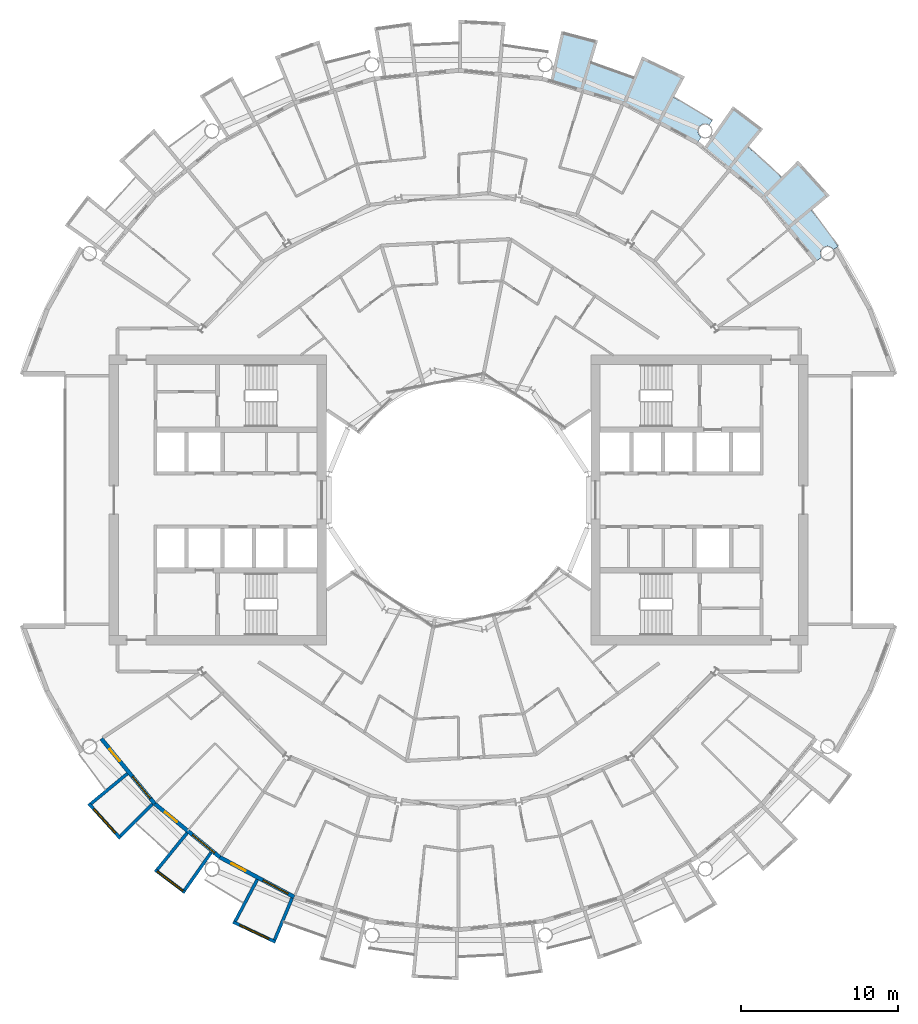
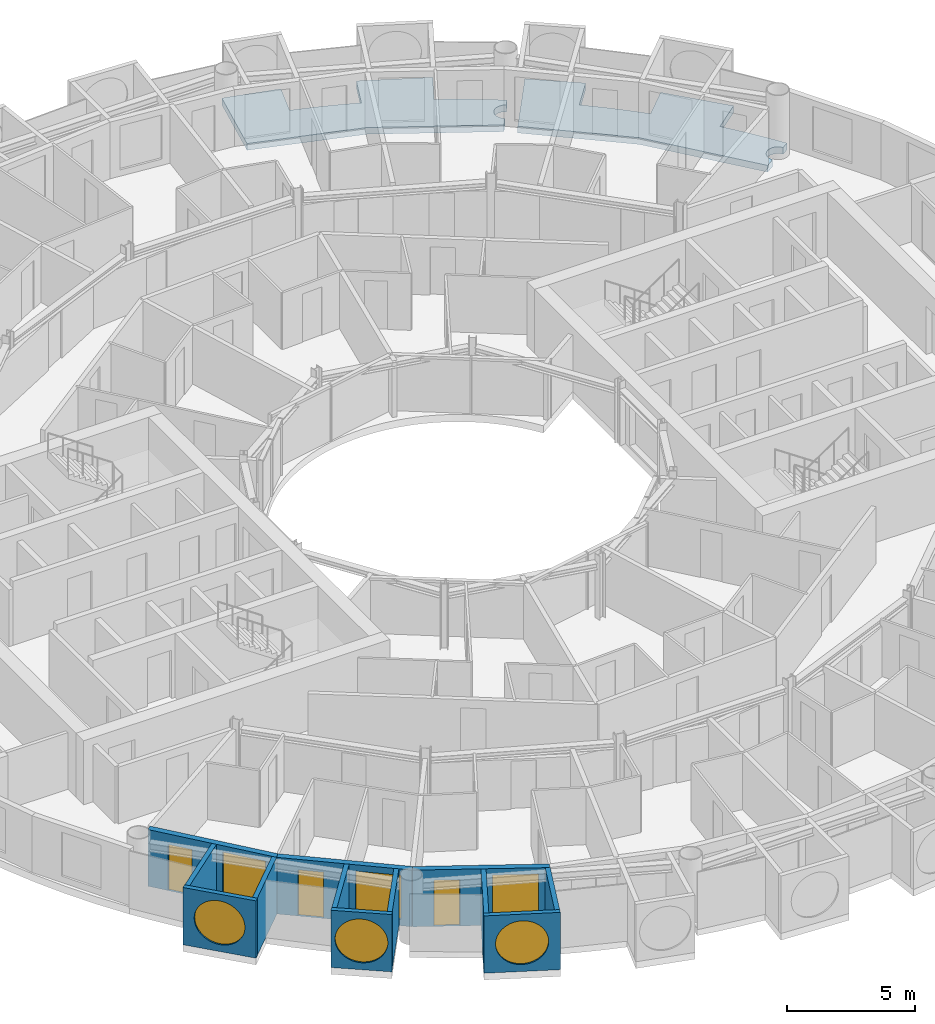
# One storey, part 13 of 26: 12 walls, 6 windows, 3 doors, 2 slabs, 9 openings.
"""IFC4 building model written with IfcOpenShell, lengths in metres."""

from ifc_helpers import new_model, si_unit, direction, frame, frame_2d, origin, place, context, subcontext, project, spatial, polyline, rectangle, circle, outline, extrude, material, layer, layer_set, type_object, element, fill, save


model = new_model("IFC4")

# Units and contexts
model_context = context("Model", 3, precision=1e-05, world=origin(), true_north=direction((0.0, 1.0)))
body_context = subcontext(model_context, "Body", "Model", "MODEL_VIEW")
ifc_project = project(units=[si_unit("LENGTHUNIT", "METRE"), si_unit("AREAUNIT", "SQUARE_METRE"), si_unit("VOLUMEUNIT", "CUBIC_METRE"), si_unit("PLANEANGLEUNIT", "RADIAN"), si_unit("MASSUNIT", "GRAM", prefix="KILO")], contexts=[model_context])

# Site, building, storey
site_placement = place(None, origin())
site = spatial("IfcSite", under=ifc_project, at=site_placement, CompositionType="ELEMENT")
building_placement = place(site_placement, origin())
building = spatial("IfcBuilding", under=site, at=building_placement, Name="Maasbend Ring Residences", CompositionType="ELEMENT")
storey_placement = place(building_placement, frame((0.0, 0.0, 123.85009765625)))
storey = spatial("IfcBuildingStorey", under=building, at=storey_placement, Name="L35", CompositionType="ELEMENT", Elevation=123.85009765625)

# Slabs
ifc_material_1 = material(Name="Concrete C40/50", Category="concrete")
ifc_layer_1 = layer(ifc_material_1, 0.199951171875)
ifc_layer_set_1 = layer_set([ifc_layer_1], Name="Concrete C40/50")
slab_type = type_object("IfcSlabType", Name="SL-LOGGIA", PredefinedType="FLOOR", material=ifc_layer_set_1)
slab_1_placement = place(storey_placement, frame((0.0, 0.0, -0.35009765625)))
element("IfcSlab", 1, at=slab_1_placement, inside=storey, type_object=slab_type, Name="Loggia floor 1", PredefinedType="FLOOR", context=body_context, shape_type="SweptSolid", body=[
    extrude(outline(polyline([(8.85400390625, 29.18701171875), (8.85400390625, 29.18701171875), (8.85400390625, 29.18701171875), (8.41796875, 27.751953125), (8.41796875, 27.751953125), (8.41796875, 27.751953125), (8.41796875, 27.751953125), (8.41796875, 27.751953125), (8.41796875, 27.751953125), (8.41796875, 27.7509765625), (8.41796875, 27.7509765625), (8.41796875, 27.7509765625), (8.41796875, 27.7509765625), (8.41796875, 27.7509765625), (8.4189453125, 27.7509765625), (8.4189453125, 27.7509765625), (8.4189453125, 27.7509765625), (8.4189453125, 27.7509765625), (8.4189453125, 27.7509765625), (8.4189453125, 27.7509765625), (9.322021484375, 27.4609375), (9.322021484375, 27.4609375), (10.215087890625, 27.14111328125), (10.215087890625, 27.14111328125), (11.096923828125, 26.79296875), (11.096923828125, 26.79296875), (11.096923828125, 26.79296875), (11.097900390625, 26.79296875), (11.097900390625, 26.79296875), (11.097900390625, 26.79296875), (11.097900390625, 26.79296875), (11.097900390625, 26.79296875), (11.097900390625, 26.79296875), (11.097900390625, 26.79296875), (11.097900390625, 26.79296875), (11.097900390625, 26.79296875), (11.097900390625, 26.79296875), (11.097900390625, 26.79296875), (11.097900390625, 26.79296875), (11.097900390625, 26.79296875), (11.097900390625, 26.79296875), (11.672119140625, 28.177978515625), (11.672119140625, 28.177978515625), (11.672119140625, 28.177978515625), (14.3779296875, 26.89892578125), (14.3779296875, 26.89892578125), (14.3779296875, 26.89892578125), (13.6708984375, 25.575927734375), (13.6708984375, 25.575927734375), (13.6708984375, 25.575927734375), (13.6708984375, 25.575927734375), (13.6708984375, 25.575927734375), (13.6708984375, 25.575927734375), (13.6708984375, 25.575927734375), (13.6708984375, 25.575927734375), (13.6708984375, 25.575927734375), (13.6708984375, 25.575927734375), (13.6708984375, 25.575927734375), (13.6708984375, 25.575927734375), (13.6708984375, 25.575927734375), (13.6708984375, 25.575927734375), (13.6708984375, 25.575927734375), (13.6708984375, 25.575927734375), (13.6708984375, 25.574951171875), (14.5, 25.114990234375), (14.5, 25.114990234375), (15.31396484375, 24.626953125), (15.31396484375, 24.626953125), (16.112060546875, 24.113037109375), (16.112060546875, 24.113037109375), (16.112060546875, 24.113037109375), (15.9208984375, 23.826904296875), (15.912109375, 23.8330078125), (15.902099609375, 23.839111328125), (15.89208984375, 23.844970703125), (15.883056640625, 23.85009765625), (15.873046875, 23.85595703125), (15.862060546875, 23.861083984375), (15.85205078125, 23.864990234375), (15.842041015625, 23.8701171875), (15.83203125, 23.8740234375), (15.821044921875, 23.8779296875), (15.81005859375, 23.881103515625), (15.800048828125, 23.885009765625), (15.7890625, 23.887939453125), (15.778076171875, 23.89111328125), (15.76708984375, 23.89306640625), (15.756103515625, 23.89599609375), (15.7451171875, 23.89794921875), (15.73388671875, 23.89892578125), (15.722900390625, 23.90087890625), (15.7119140625, 23.902099609375), (15.700927734375, 23.903076171875), (15.68994140625, 23.904052734375), (15.677978515625, 23.904052734375), (15.6669921875, 23.904052734375), (15.656005859375, 23.904052734375), (15.64501953125, 23.904052734375), (15.633056640625, 23.903076171875), (15.6220703125, 23.902099609375), (15.611083984375, 23.90087890625), (15.60009765625, 23.89892578125), (15.589111328125, 23.89794921875), (15.577880859375, 23.89599609375), (15.56689453125, 23.89306640625), (15.555908203125, 23.89111328125), (15.544921875, 23.887939453125), (15.533935546875, 23.885009765625), (15.52392578125, 23.881103515625), (15.512939453125, 23.8779296875), (15.5029296875, 23.8740234375), (15.491943359375, 23.8701171875), (15.48193359375, 23.864990234375), (15.471923828125, 23.861083984375), (15.4619140625, 23.85595703125), (15.451904296875, 23.85009765625), (15.44189453125, 23.844970703125), (15.431884765625, 23.839111328125), (15.423095703125, 23.8330078125), (15.4130859375, 23.826904296875), (15.404052734375, 23.821044921875), (15.39501953125, 23.81396484375), (15.385986328125, 23.80810546875), (15.376953125, 23.801025390625), (15.368896484375, 23.79296875), (15.360107421875, 23.785888671875), (15.35205078125, 23.778076171875), (15.343994140625, 23.77099609375), (15.3359375, 23.762939453125), (15.327880859375, 23.75390625), (15.321044921875, 23.74609375), (15.31396484375, 23.737060546875), (15.306884765625, 23.72900390625), (15.300048828125, 23.719970703125), (15.29296875, 23.7109375), (15.287109375, 23.700927734375), (15.281005859375, 23.69189453125), (15.27490234375, 23.681884765625), (15.26904296875, 23.673095703125), (15.263916015625, 23.6630859375), (15.259033203125, 23.653076171875), (15.25390625, 23.64306640625), (15.2490234375, 23.633056640625), (15.2451171875, 23.6220703125), (15.240966796875, 23.612060546875), (15.237060546875, 23.60107421875), (15.23291015625, 23.591064453125), (15.22998046875, 23.580078125), (15.22705078125, 23.569091796875), (15.22412109375, 23.55810546875), (15.220947265625, 23.548095703125), (15.218994140625, 23.537109375), (15.217041015625, 23.52587890625), (15.215087890625, 23.513916015625), (15.214111328125, 23.5029296875), (15.2119140625, 23.491943359375), (15.2109375, 23.48095703125), (15.2109375, 23.469970703125), (15.2099609375, 23.458984375), (15.2099609375, 23.447021484375), (15.2099609375, 23.43603515625), (15.2109375, 23.425048828125), (15.2109375, 23.4140625), (15.2119140625, 23.403076171875), (15.214111328125, 23.39111328125), (15.215087890625, 23.3798828125), (15.217041015625, 23.368896484375), (15.218994140625, 23.35791015625), (15.220947265625, 23.346923828125), (15.22412109375, 23.3359375), (15.22705078125, 23.325927734375), (15.22998046875, 23.31494140625), (15.23291015625, 23.303955078125), (15.237060546875, 23.29296875), (15.240966796875, 23.282958984375), (15.2451171875, 23.27294921875), (15.2490234375, 23.261962890625), (15.25390625, 23.251953125), (15.259033203125, 23.241943359375), (15.263916015625, 23.23193359375), (15.26904296875, 23.221923828125), (15.27490234375, 23.2119140625), (15.281005859375, 23.202880859375), (15.287109375, 23.194091796875), (15.29296875, 23.18408203125), (15.300048828125, 23.175048828125), (15.306884765625, 23.166015625), (15.31396484375, 23.156982421875), (15.321044921875, 23.14892578125), (15.327880859375, 23.139892578125), (15.3359375, 23.132080078125), (15.343994140625, 23.1240234375), (15.35205078125, 23.115966796875), (15.360107421875, 23.10888671875), (15.368896484375, 23.10107421875), (15.376953125, 23.093994140625), (15.385986328125, 23.0869140625), (15.39501953125, 23.080078125), (15.404052734375, 23.073974609375), (15.4130859375, 23.06689453125), (15.1669921875, 22.698974609375), (15.1669921875, 22.698974609375), (15.1669921875, 22.698974609375), (12.806884765625, 23.9609375), (10.447021484375, 25.221923828125), (10.447021484375, 25.221923828125), (10.447021484375, 25.221923828125), (7.886962890625, 25.9990234375), (5.843994140625, 26.617919921875), (5.843994140625, 26.617919921875), (5.843994140625, 26.617919921875), (6.5400390625, 29.791015625), (6.5400390625, 29.791015625), (6.5400390625, 29.791015625), (8.85400390625, 29.18701171875)])), origin(), (0.0, 0.0, 1.0), 0.320068359375),
])
slab_2_placement = place(storey_placement, frame((0.0, 0.0, -0.35009765625)))
element("IfcSlab", 2, at=slab_2_placement, inside=storey, type_object=slab_type, Name="Loggia floor 4", PredefinedType="FLOOR", context=body_context, shape_type="SweptSolid", body=[
    extrude(outline(polyline([(19.34912109375, 23.576904296875), (19.34912109375, 23.576904296875), (19.34912109375, 23.576904296875), (18.39794921875, 22.41796875), (18.39794921875, 22.41796875), (18.39794921875, 22.41796875), (18.39794921875, 22.41796875), (18.39794921875, 22.41796875), (18.39794921875, 22.4169921875), (18.39794921875, 22.4169921875), (18.39794921875, 22.4169921875), (18.39794921875, 22.4169921875), (18.39794921875, 22.4169921875), (18.39794921875, 22.4169921875), (18.39794921875, 22.4169921875), (18.39794921875, 22.4169921875), (18.39794921875, 22.4169921875), (18.39794921875, 22.4169921875), (18.39794921875, 22.4169921875), (18.39794921875, 22.4169921875), (19.12109375, 21.802978515625), (19.12109375, 21.802978515625), (19.823974609375, 21.166015625), (19.823974609375, 21.166015625), (20.506103515625, 20.506103515625), (20.506103515625, 20.506103515625), (20.506103515625, 20.506103515625), (20.506103515625, 20.506103515625), (20.506103515625, 20.506103515625), (20.506103515625, 20.506103515625), (20.506103515625, 20.506103515625), (20.506103515625, 20.506103515625), (20.506103515625, 20.506103515625), (20.506103515625, 20.506103515625), (20.506103515625, 20.506103515625), (20.506103515625, 20.506103515625), (20.506103515625, 20.506103515625), (20.506103515625, 20.506103515625), (20.506103515625, 20.506103515625), (20.506103515625, 20.506103515625), (20.506103515625, 20.506103515625), (21.56689453125, 21.56689453125), (21.56689453125, 21.56689453125), (21.56689453125, 21.56689453125), (23.576904296875, 19.34912109375), (23.576904296875, 19.34912109375), (23.576904296875, 19.34912109375), (22.41796875, 18.39794921875), (22.41796875, 18.39794921875), (22.41796875, 18.39794921875), (22.41796875, 18.39794921875), (22.41796875, 18.39794921875), (22.41796875, 18.39794921875), (22.41796875, 18.39697265625), (22.41796875, 18.39697265625), (22.41796875, 18.39697265625), (22.41796875, 18.39697265625), (22.41796875, 18.39697265625), (22.41796875, 18.39697265625), (22.41796875, 18.39697265625), (22.41796875, 18.39697265625), (22.41796875, 18.39697265625), (22.41796875, 18.39697265625), (22.41796875, 18.39697265625), (23.007080078125, 17.654052734375), (23.007080078125, 17.654052734375), (23.572998046875, 16.89208984375), (23.572998046875, 16.89208984375), (24.113037109375, 16.112060546875), (24.113037109375, 16.112060546875), (24.113037109375, 16.112060546875), (23.826904296875, 15.9208984375), (23.826904296875, 15.9208984375), (23.821044921875, 15.929931640625), (23.81396484375, 15.93896484375), (23.80810546875, 15.947998046875), (23.801025390625, 15.95703125), (23.79296875, 15.966064453125), (23.785888671875, 15.97412109375), (23.778076171875, 15.98193359375), (23.77099609375, 15.989990234375), (23.762939453125, 15.998046875), (23.75390625, 16.006103515625), (23.74609375, 16.012939453125), (23.737060546875, 16.02001953125), (23.72900390625, 16.027099609375), (23.719970703125, 16.033935546875), (23.7109375, 16.041015625), (23.700927734375, 16.047119140625), (23.69189453125, 16.052978515625), (23.681884765625, 16.05908203125), (23.673095703125, 16.06494140625), (23.6630859375, 16.070068359375), (23.653076171875, 16.074951171875), (23.64306640625, 16.080078125), (23.633056640625, 16.0849609375), (23.6220703125, 16.089111328125), (23.612060546875, 16.093017578125), (23.60107421875, 16.096923828125), (23.591064453125, 16.10107421875), (23.580078125, 16.10400390625), (23.569091796875, 16.10791015625), (23.55810546875, 16.110107421875), (23.548095703125, 16.113037109375), (23.537109375, 16.114990234375), (23.52587890625, 16.116943359375), (23.513916015625, 16.118896484375), (23.5029296875, 16.12109375), (23.491943359375, 16.1220703125), (23.48095703125, 16.123046875), (23.469970703125, 16.1240234375), (23.458984375, 16.1240234375), (23.447021484375, 16.1240234375), (23.43603515625, 16.1240234375), (23.425048828125, 16.1240234375), (23.4140625, 16.123046875), (23.403076171875, 16.1220703125), (23.39111328125, 16.12109375), (23.3798828125, 16.118896484375), (23.368896484375, 16.116943359375), (23.35791015625, 16.114990234375), (23.346923828125, 16.113037109375), (23.3359375, 16.110107421875), (23.325927734375, 16.10791015625), (23.31494140625, 16.10400390625), (23.303955078125, 16.10107421875), (23.29296875, 16.096923828125), (23.282958984375, 16.093017578125), (23.27294921875, 16.089111328125), (23.261962890625, 16.0849609375), (23.251953125, 16.080078125), (23.241943359375, 16.074951171875), (23.23193359375, 16.070068359375), (23.221923828125, 16.06494140625), (23.2119140625, 16.05908203125), (23.202880859375, 16.052978515625), (23.194091796875, 16.047119140625), (23.18408203125, 16.041015625), (23.175048828125, 16.033935546875), (23.166015625, 16.027099609375), (23.156982421875, 16.02001953125), (23.14892578125, 16.012939453125), (23.139892578125, 16.006103515625), (23.132080078125, 15.998046875), (23.1240234375, 15.989990234375), (23.115966796875, 15.98193359375), (23.10888671875, 15.97412109375), (23.10107421875, 15.966064453125), (23.093994140625, 15.95703125), (23.0869140625, 15.947998046875), (23.080078125, 15.93896484375), (23.073974609375, 15.929931640625), (23.06689453125, 15.9208984375), (23.06103515625, 15.912109375), (23.054931640625, 15.902099609375), (23.050048828125, 15.89208984375), (23.0439453125, 15.883056640625), (23.0390625, 15.873046875), (23.033935546875, 15.862060546875), (23.030029296875, 15.85205078125), (23.02490234375, 15.842041015625), (23.02099609375, 15.83203125), (23.01708984375, 15.821044921875), (23.012939453125, 15.81005859375), (23.010009765625, 15.800048828125), (23.007080078125, 15.7890625), (23.00390625, 15.778076171875), (23.001953125, 15.76708984375), (22.9990234375, 15.756103515625), (22.9970703125, 15.7451171875), (22.9951171875, 15.73388671875), (22.993896484375, 15.722900390625), (22.992919921875, 15.7119140625), (22.991943359375, 15.700927734375), (22.990966796875, 15.68994140625), (22.990966796875, 15.677978515625), (22.989990234375, 15.6669921875), (22.990966796875, 15.656005859375), (22.990966796875, 15.64501953125), (22.991943359375, 15.633056640625), (22.992919921875, 15.6220703125), (22.993896484375, 15.611083984375), (22.9951171875, 15.60009765625), (22.9970703125, 15.589111328125), (22.9990234375, 15.577880859375), (23.001953125, 15.56689453125), (23.00390625, 15.555908203125), (23.007080078125, 15.544921875), (23.010009765625, 15.533935546875), (23.012939453125, 15.52392578125), (23.01708984375, 15.512939453125), (23.02099609375, 15.5029296875), (23.02490234375, 15.491943359375), (23.030029296875, 15.48193359375), (23.033935546875, 15.471923828125), (23.0390625, 15.4619140625), (23.0439453125, 15.451904296875), (23.050048828125, 15.44189453125), (23.054931640625, 15.431884765625), (23.06103515625, 15.423095703125), (23.06689453125, 15.4130859375), (23.06689453125, 15.4130859375), (22.698974609375, 15.1669921875), (22.698974609375, 15.1669921875), (22.698974609375, 15.1669921875), (21.001953125, 17.236083984375), (19.303955078125, 19.303955078125), (19.303955078125, 19.303955078125), (19.303955078125, 19.303955078125), (17.236083984375, 21.001953125), (15.5849609375, 22.35595703125), (15.5849609375, 22.35595703125), (15.5849609375, 22.35595703125), (17.44189453125, 25.02001953125), (17.44189453125, 25.02001953125), (17.44189453125, 25.02001953125), (19.34912109375, 23.576904296875)])), origin(), (0.0, 0.0, 1.0), 0.320068359375),
])

# Wall, opening, window
ifc_material_2 = material(Name="Pale anodised aluminium panel", Category="aluminium")
ifc_layer_2 = layer(ifc_material_2, 0.199951171875)
ifc_layer_set_2 = layer_set([ifc_layer_2], Name="EW-BOX")
wall_type_1 = type_object("IfcWallType", Name="EW-BOX", PredefinedType="SOLIDWALL", material=ifc_layer_set_2)
wall_1_placement = place(storey_placement, frame((-23.5029296875, -19.281982421875, -0.030029296875), z_axis=(0.0, 0.0, 1.0), x_axis=(0.671506829416, -0.740998365753, 0.0)))
wall_1 = element("IfcWall", 3, at=wall_1_placement, inside=storey, type_object=wall_type_1, Name="Box front S02", PredefinedType="SOLIDWALL", context=body_context, shape_type="SweptSolid", body=[
    extrude(rectangle(XDim=2.9931640625, YDim=0.199951171875, at=frame_2d((1.49658203125, 0.0))), origin(), (0.0, 0.0, 1.0), 2.72998046875),
])
opening_1_placement = place(wall_1_placement, frame((0.45654296875, 0.0, 0.330078125)))
opening_1 = element("IfcOpeningElement", 4, at=opening_1_placement, cuts=wall_1, Name="Opening W-RD", PredefinedType="OPENING", context=body_context, shape_type="SweptSolid", body=[
    extrude(circle(Radius=1.0400390625, at=frame_2d((1.0400390625, 1.0400390625))), frame((0.0, 0.10986328125, 0.0), z_axis=(0.0, -1.0, 0.0), x_axis=(1.0, 0.0, 0.0)), (0.0, 0.0, 1.0), 0.219970703125),
])
ifc_material_3 = material(Name="Aluminium and clear glass", Category="aluminium")
window_type_1 = type_object("IfcWindowType", Name="W-RD", PartitioningType="SINGLE_PANEL", PredefinedType="WINDOW", material=ifc_material_3)
window_1_placement = place(opening_1_placement, origin())
window_1 = element("IfcWindow", 5, at=window_1_placement, inside=storey, type_object=window_type_1, Name="Round window S02", OverallHeight=2.080078125, OverallWidth=2.080078125, PartitioningType="SINGLE_PANEL", PredefinedType="WINDOW", context=body_context, shape_type="SweptSolid", body=[
    extrude(circle(Radius=1.0400390625, at=frame_2d((1.0400390625, 1.0400390625))), frame((0.0, 0.030029296875, 0.0), z_axis=(0.0, -1.0, 0.0), x_axis=(1.0, 0.0, 0.0)), (0.0, 0.0, 1.0), 0.06005859375),
])
fill(opening_1, window_1)

# Walls
wall_2_placement = place(storey_placement, frame((-21.041015625, -17.384033203125, -0.030029296875), z_axis=(0.0, 0.0, 1.0), x_axis=(-0.770784861449, -0.63709551667, 0.0)))
element("IfcWall", 6, at=wall_2_placement, inside=storey, type_object=wall_type_1, Name="Box side wall S02 left", PredefinedType="SOLIDWALL", context=body_context, shape_type="SweptSolid", body=[
    extrude(rectangle(XDim=3.005859375, YDim=0.199951171875, at=frame_2d((1.5029296875, 0.0))), origin(), (0.0, 0.0, 1.0), 2.72998046875),
])
wall_3_placement = place(storey_placement, frame((-19.449951171875, -19.322998046875, -0.030029296875), z_axis=(0.0, 0.0, 1.0), x_axis=(-0.709727076896, -0.704476739375, 0.0)))
element("IfcWall", 7, at=wall_3_placement, inside=storey, type_object=wall_type_1, Name="Box side wall S02 right", PredefinedType="SOLIDWALL", context=body_context, shape_type="SweptSolid", body=[
    extrude(rectangle(XDim=2.883056640625, YDim=0.199951171875, at=frame_2d((1.44140625, 0.0))), origin(), (0.0, 0.0, 1.0), 2.72998046875),
])

# Wall, opening, window
wall_4_placement = place(storey_placement, frame((-19.2890625, -23.4970703125, -0.030029296875), z_axis=(0.0, 0.0, 1.0), x_axis=(0.797456837111, -0.603375996329, 0.0)))
wall_4 = element("IfcWall", 8, at=wall_4_placement, inside=storey, type_object=wall_type_1, Name="Box front S04", PredefinedType="SOLIDWALL", context=body_context, shape_type="SweptSolid", body=[
    extrude(rectangle(XDim=2.391357421875, YDim=0.199951171875, at=frame_2d((1.19580078125, 0.0))), origin(), (0.0, 0.0, 1.0), 2.72998046875),
])
opening_2_placement = place(wall_4_placement, frame((0.15576171875, 0.0, 0.330078125)))
opening_2 = element("IfcOpeningElement", 9, at=opening_2_placement, cuts=wall_4, Name="Opening W-RD", PredefinedType="OPENING", context=body_context, shape_type="SweptSolid", body=[
    extrude(circle(Radius=1.0400390625, at=frame_2d((1.0400390625, 1.0400390625))), frame((0.0, 0.10986328125, 0.0), z_axis=(0.0, -1.0, 0.0), x_axis=(1.0, 0.0, 0.0)), (0.0, 0.0, 1.0), 0.219970703125),
])
window_2_placement = place(opening_2_placement, origin())
window_2 = element("IfcWindow", 10, at=window_2_placement, inside=storey, type_object=window_type_1, Name="Round window S04", OverallHeight=2.080078125, OverallWidth=2.080078125, PartitioningType="SINGLE_PANEL", PredefinedType="WINDOW", context=body_context, shape_type="SweptSolid", body=[
    extrude(circle(Radius=1.0400390625, at=frame_2d((1.0400390625, 1.0400390625))), frame((0.0, 0.030029296875, 0.0), z_axis=(0.0, -1.0, 0.0), x_axis=(1.0, 0.0, 0.0)), (0.0, 0.0, 1.0), 0.06005859375),
])
fill(opening_2, window_2)

# Walls
wall_5_placement = place(storey_placement, frame((-17.24609375, -21.155029296875, -0.030029296875), z_axis=(0.0, 0.0, 1.0), x_axis=(-0.631741648902, -0.775179004516, 0.0)))
element("IfcWall", 11, at=wall_5_placement, inside=storey, type_object=wall_type_1, Name="Box side wall S04 left", PredefinedType="SOLIDWALL", context=body_context, shape_type="SweptSolid", body=[
    extrude(rectangle(XDim=3.005859375, YDim=0.199951171875, at=frame_2d((1.5029296875, 0.0))), origin(), (0.0, 0.0, 1.0), 2.72998046875),
])
wall_6_placement = place(storey_placement, frame((-15.72607421875, -22.402099609375, -0.030029296875), z_axis=(0.0, 0.0, 1.0), x_axis=(-0.574826383135, -0.818275399393, 0.0)))
element("IfcWall", 12, at=wall_6_placement, inside=storey, type_object=wall_type_1, Name="Box side wall S04 right", PredefinedType="SOLIDWALL", context=body_context, shape_type="SweptSolid", body=[
    extrude(rectangle(XDim=2.92919921875, YDim=0.199951171875, at=frame_2d((1.464599609375, 0.0))), origin(), (0.0, 0.0, 1.0), 2.72998046875),
])

# Wall, opening, window
wall_7_placement = place(storey_placement, frame((-14.3349609375, -26.80810546875, -0.030029296875), z_axis=(0.0, 0.0, 1.0), x_axis=(0.904000060331, -0.427532327342, 0.0)))
wall_7 = element("IfcWall", 13, at=wall_7_placement, inside=storey, type_object=wall_type_1, Name="Box front S06", PredefinedType="SOLIDWALL", context=body_context, shape_type="SweptSolid", body=[
    extrude(rectangle(XDim=2.993408203125, YDim=0.199951171875, at=frame_2d((1.49658203125, 0.0))), origin(), (0.0, 0.0, 1.0), 2.72998046875),
])
opening_3_placement = place(wall_7_placement, frame((0.45654296875, 0.0, 0.330078125)))
opening_3 = element("IfcOpeningElement", 14, at=opening_3_placement, cuts=wall_7, Name="Opening W-RD", PredefinedType="OPENING", context=body_context, shape_type="SweptSolid", body=[
    extrude(circle(Radius=1.0400390625, at=frame_2d((1.0400390625, 1.0400390625))), frame((0.0, 0.10986328125, 0.0), z_axis=(0.0, -1.0, 0.0), x_axis=(1.0, 0.0, 0.0)), (0.0, 0.0, 1.0), 0.219970703125),
])
window_3_placement = place(opening_3_placement, origin())
window_3 = element("IfcWindow", 15, at=window_3_placement, inside=storey, type_object=window_type_1, Name="Round window S06", OverallHeight=2.080078125, OverallWidth=2.080078125, PartitioningType="SINGLE_PANEL", PredefinedType="WINDOW", context=body_context, shape_type="SweptSolid", body=[
    extrude(circle(Radius=1.0400390625, at=frame_2d((1.0400390625, 1.0400390625))), frame((0.0, 0.030029296875, 0.0), z_axis=(0.0, -1.0, 0.0), x_axis=(1.0, 0.0, 0.0)), (0.0, 0.0, 1.0), 0.06005859375),
])
fill(opening_3, window_3)

# Walls
wall_8_placement = place(storey_placement, frame((-12.787109375, -24.113037109375, -0.030029296875), z_axis=(0.0, 0.0, 1.0), x_axis=(-0.468365282436, -0.883534924159, 0.0)))
element("IfcWall", 16, at=wall_8_placement, inside=storey, type_object=wall_type_1, Name="Box side wall S06 left", PredefinedType="SOLIDWALL", context=body_context, shape_type="SweptSolid", body=[
    extrude(rectangle(XDim=3.006103515625, YDim=0.199951171875, at=frame_2d((1.5029296875, 0.0))), origin(), (0.0, 0.0, 1.0), 2.72998046875),
])
wall_9_placement = place(storey_placement, frame((-10.574951171875, -25.294921875, -0.030029296875), z_axis=(0.0, 0.0, 1.0), x_axis=(-0.385697364644, -0.922625353492, 0.0)))
element("IfcWall", 17, at=wall_9_placement, inside=storey, type_object=wall_type_1, Name="Box side wall S06 right", PredefinedType="SOLIDWALL", context=body_context, shape_type="SweptSolid", body=[
    extrude(rectangle(XDim=2.88330078125, YDim=0.199951171875, at=frame_2d((1.441650390625, 0.0))), origin(), (0.0, 0.0, 1.0), 2.72998046875),
])

# Wall, openings, door, window
ifc_material_4 = material(Name="Aluminium clad insulated panel", Category="aluminium")
ifc_layer_3 = layer(ifc_material_4, 0.25)
ifc_layer_set_3 = layer_set([ifc_layer_3], Name="EW-GL")
wall_type_2 = type_object("IfcWallType", Name="EW-GL", PredefinedType="SOLIDWALL", material=ifc_layer_set_3)
wall_10_placement = place(storey_placement, frame((-22.698974609375, -15.1669921875, 0.0), z_axis=(0.0, 0.0, 1.0), x_axis=(0.634382322723, -0.773019449054, 0.0)))
wall_10 = element("IfcWall", 18, at=wall_10_placement, inside=storey, type_object=wall_type_2, Name="External wall S01", PredefinedType="SOLIDWALL", context=body_context, shape_type="SweptSolid", body=[
    extrude(rectangle(XDim=5.351806640625, YDim=0.25, at=frame_2d((2.67578125, 0.0))), origin(), (0.0, 0.0, 1.0), 2.699951171875),
])
opening_4_placement = place(wall_10_placement, frame((0.841064453125, 0.0, 0.0)))
opening_4 = element("IfcOpeningElement", 19, at=opening_4_placement, cuts=wall_10, Name="Opening D-LG", PredefinedType="OPENING", context=body_context, shape_type="SweptSolid", body=[
    extrude(rectangle(XDim=1.0, YDim=2.199951171875, at=frame_2d((0.5, 1.10009765625))), frame((0.0, 0.135009765625, 0.0), z_axis=(0.0, -1.0, 0.0), x_axis=(1.0, 0.0, 0.0)), (0.0, 0.0, 1.0), 0.27001953125),
])
opening_5_placement = place(wall_10_placement, frame((3.110595703125, 0.0, 0.300048828125)))
opening_5 = element("IfcOpeningElement", 20, at=opening_5_placement, cuts=wall_10, Name="Opening W-BX", PredefinedType="OPENING", context=body_context, shape_type="SweptSolid", body=[
    extrude(rectangle(XDim=1.800048828125, YDim=2.10009765625, at=frame_2d((0.89990234375, 1.050048828125))), frame((0.0, 0.135009765625, 0.0), z_axis=(0.0, -1.0, 0.0), x_axis=(1.0, 0.0, 0.0)), (0.0, 0.0, 1.0), 0.27001953125),
])
ifc_material_5 = material(Name="Aluminium and clear glass", Category="aluminium")
door_type = type_object("IfcDoorType", Name="D-LG", OperationType="SINGLE_SWING_LEFT", PredefinedType="DOOR", material=ifc_material_5)
door_1_placement = place(opening_4_placement, origin())
door_1 = element("IfcDoor", 21, at=door_1_placement, inside=storey, type_object=door_type, Name="Loggia door S01", OperationType="SINGLE_SWING_LEFT", OverallHeight=2.199951171875, OverallWidth=1.0, PredefinedType="DOOR", context=body_context, shape_type="SweptSolid", body=[
    extrude(rectangle(XDim=1.0, YDim=2.199951171875, at=frame_2d((0.5, 1.10009765625))), frame((0.0, 0.02490234375, 0.0), z_axis=(0.0, -1.0, 0.0), x_axis=(1.0, 0.0, 0.0)), (0.0, 0.0, 1.0), 0.050048828125),
])
fill(opening_4, door_1)
ifc_material_6 = material(Name="Aluminium and clear glass", Category="aluminium")
window_type_2 = type_object("IfcWindowType", Name="W-BX", PartitioningType="DOUBLE_PANEL_VERTICAL", PredefinedType="WINDOW", material=ifc_material_6)
window_4_placement = place(opening_5_placement, origin())
window_4 = element("IfcWindow", 22, at=window_4_placement, inside=storey, type_object=window_type_2, Name="Window S02 room to box", OverallHeight=2.10009765625, OverallWidth=1.800048828125, PartitioningType="SINGLE_PANEL", PredefinedType="WINDOW", context=body_context, shape_type="SweptSolid", body=[
    extrude(rectangle(XDim=1.800048828125, YDim=2.10009765625, at=frame_2d((0.89990234375, 1.050048828125))), frame((0.0, 0.030029296875, 0.0), z_axis=(0.0, -1.0, 0.0), x_axis=(1.0, 0.0, 0.0)), (0.0, 0.0, 1.0), 0.06005859375),
])
fill(opening_5, window_4)

wall_11_placement = place(storey_placement, frame((-19.303955078125, -19.303955078125, 0.0), z_axis=(0.0, 0.0, 1.0), x_axis=(0.773019449054, -0.634382322723, 0.0)))
wall_11 = element("IfcWall", 23, at=wall_11_placement, inside=storey, type_object=wall_type_2, Name="External wall S02", PredefinedType="SOLIDWALL", context=body_context, shape_type="SweptSolid", body=[
    extrude(rectangle(XDim=5.351806640625, YDim=0.25, at=frame_2d((2.67578125, 0.0))), origin(), (0.0, 0.0, 1.0), 2.699951171875),
])
opening_6_placement = place(wall_11_placement, frame((0.841064453125, 0.0, 0.0)))
opening_6 = element("IfcOpeningElement", 24, at=opening_6_placement, cuts=wall_11, Name="Opening D-LG", PredefinedType="OPENING", context=body_context, shape_type="SweptSolid", body=[
    extrude(rectangle(XDim=1.0, YDim=2.199951171875, at=frame_2d((0.5, 1.10009765625))), frame((0.0, 0.135009765625, 0.0), z_axis=(0.0, -1.0, 0.0), x_axis=(1.0, 0.0, 0.0)), (0.0, 0.0, 1.0), 0.27001953125),
])
opening_7_placement = place(wall_11_placement, frame((3.110595703125, 0.0, 0.300048828125)))
opening_7 = element("IfcOpeningElement", 25, at=opening_7_placement, cuts=wall_11, Name="Opening W-BX", PredefinedType="OPENING", context=body_context, shape_type="SweptSolid", body=[
    extrude(rectangle(XDim=1.800048828125, YDim=2.10009765625, at=frame_2d((0.89990234375, 1.050048828125))), frame((0.0, 0.135009765625, 0.0), z_axis=(0.0, -1.0, 0.0), x_axis=(1.0, 0.0, 0.0)), (0.0, 0.0, 1.0), 0.27001953125),
])
door_2_placement = place(opening_6_placement, origin())
door_2 = element("IfcDoor", 26, at=door_2_placement, inside=storey, type_object=door_type, Name="Loggia door S03", OperationType="SINGLE_SWING_LEFT", OverallHeight=2.199951171875, OverallWidth=1.0, PredefinedType="DOOR", context=body_context, shape_type="SweptSolid", body=[
    extrude(rectangle(XDim=1.0, YDim=2.199951171875, at=frame_2d((0.5, 1.10009765625))), frame((0.0, 0.02490234375, 0.0), z_axis=(0.0, -1.0, 0.0), x_axis=(1.0, 0.0, 0.0)), (0.0, 0.0, 1.0), 0.050048828125),
])
fill(opening_6, door_2)
window_5_placement = place(opening_7_placement, origin())
window_5 = element("IfcWindow", 27, at=window_5_placement, inside=storey, type_object=window_type_2, Name="Window S04 room to box", OverallHeight=2.10009765625, OverallWidth=1.800048828125, PartitioningType="SINGLE_PANEL", PredefinedType="WINDOW", context=body_context, shape_type="SweptSolid", body=[
    extrude(rectangle(XDim=1.800048828125, YDim=2.10009765625, at=frame_2d((0.89990234375, 1.050048828125))), frame((0.0, 0.030029296875, 0.0), z_axis=(0.0, -1.0, 0.0), x_axis=(1.0, 0.0, 0.0)), (0.0, 0.0, 1.0), 0.06005859375),
])
fill(opening_7, window_5)

wall_12_placement = place(storey_placement, frame((-15.1669921875, -22.698974609375, 0.0), z_axis=(0.0, 0.0, 1.0), x_axis=(0.881915646801, -0.471407246368, 0.0)))
wall_12 = element("IfcWall", 28, at=wall_12_placement, inside=storey, type_object=wall_type_2, Name="External wall S03", PredefinedType="SOLIDWALL", context=body_context, shape_type="SweptSolid", body=[
    extrude(rectangle(XDim=5.35205078125, YDim=0.25, at=frame_2d((2.676025390625, 0.0))), origin(), (0.0, 0.0, 1.0), 2.699951171875),
])
opening_8_placement = place(wall_12_placement, frame((0.841064453125, 0.0, 0.0)))
opening_8 = element("IfcOpeningElement", 29, at=opening_8_placement, cuts=wall_12, Name="Opening D-LG", PredefinedType="OPENING", context=body_context, shape_type="SweptSolid", body=[
    extrude(rectangle(XDim=1.0, YDim=2.199951171875, at=frame_2d((0.5, 1.10009765625))), frame((0.0, 0.135009765625, 0.0), z_axis=(0.0, -1.0, 0.0), x_axis=(1.0, 0.0, 0.0)), (0.0, 0.0, 1.0), 0.27001953125),
])
opening_9_placement = place(wall_12_placement, frame((3.110595703125, 0.0, 0.300048828125)))
opening_9 = element("IfcOpeningElement", 30, at=opening_9_placement, cuts=wall_12, Name="Opening W-BX", PredefinedType="OPENING", context=body_context, shape_type="SweptSolid", body=[
    extrude(rectangle(XDim=1.800048828125, YDim=2.10009765625, at=frame_2d((0.89990234375, 1.050048828125))), frame((0.0, 0.135009765625, 0.0), z_axis=(0.0, -1.0, 0.0), x_axis=(1.0, 0.0, 0.0)), (0.0, 0.0, 1.0), 0.27001953125),
])
door_3_placement = place(opening_8_placement, origin())
door_3 = element("IfcDoor", 31, at=door_3_placement, inside=storey, type_object=door_type, Name="Loggia door S05", OperationType="SINGLE_SWING_LEFT", OverallHeight=2.199951171875, OverallWidth=1.0, PredefinedType="DOOR", context=body_context, shape_type="SweptSolid", body=[
    extrude(rectangle(XDim=1.0, YDim=2.199951171875, at=frame_2d((0.5, 1.10009765625))), frame((0.0, 0.02490234375, 0.0), z_axis=(0.0, -1.0, 0.0), x_axis=(1.0, 0.0, 0.0)), (0.0, 0.0, 1.0), 0.050048828125),
])
fill(opening_8, door_3)
window_6_placement = place(opening_9_placement, origin())
window_6 = element("IfcWindow", 32, at=window_6_placement, inside=storey, type_object=window_type_2, Name="Window S06 room to box", OverallHeight=2.10009765625, OverallWidth=1.800048828125, PartitioningType="SINGLE_PANEL", PredefinedType="WINDOW", context=body_context, shape_type="SweptSolid", body=[
    extrude(rectangle(XDim=1.800048828125, YDim=2.10009765625, at=frame_2d((0.89990234375, 1.050048828125))), frame((0.0, 0.030029296875, 0.0), z_axis=(0.0, -1.0, 0.0), x_axis=(1.0, 0.0, 0.0)), (0.0, 0.0, 1.0), 0.06005859375),
])
fill(opening_9, window_6)

save(model, "model.ifc")
